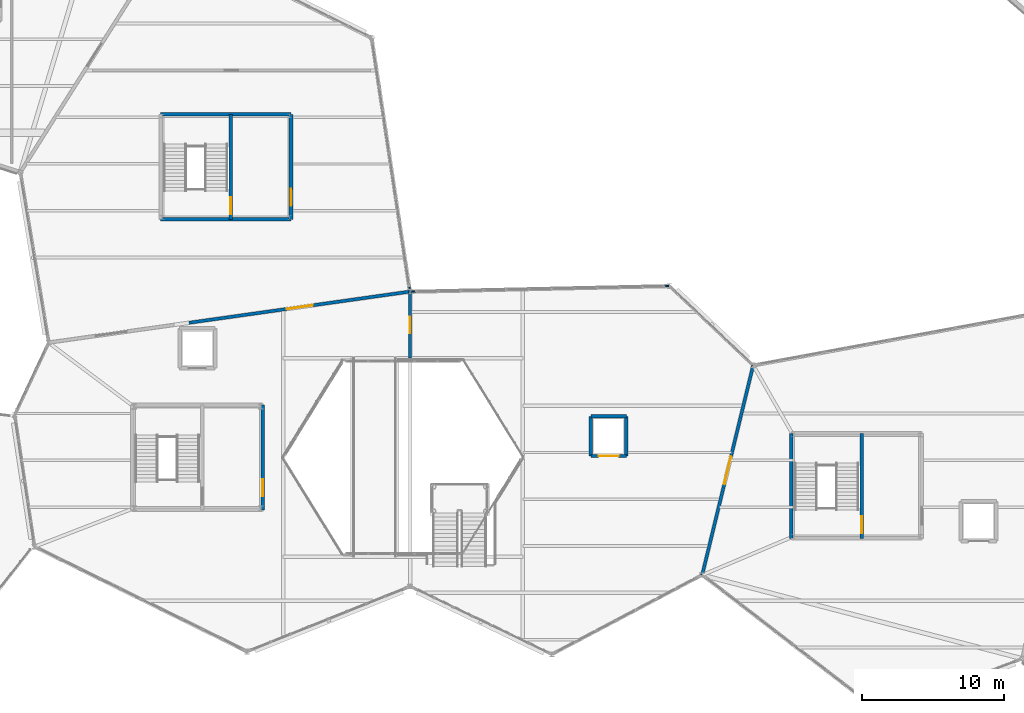
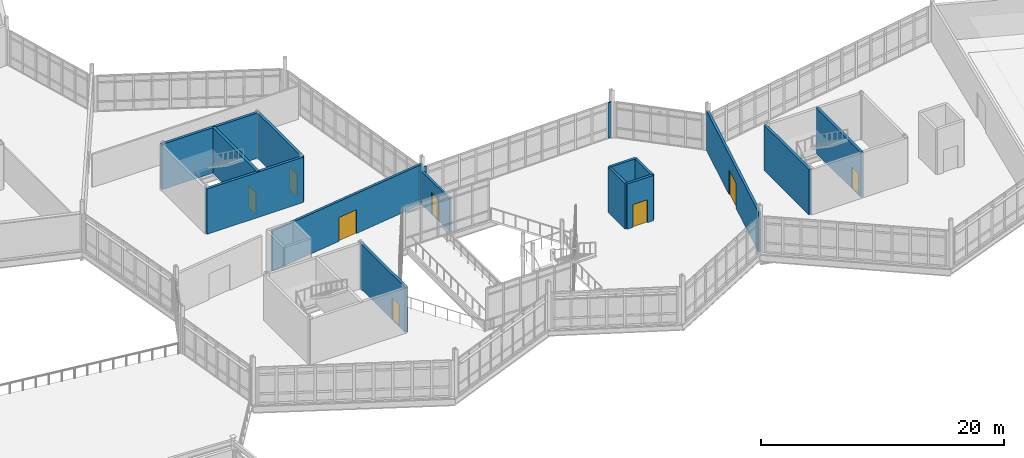
# One storey, part 91 of 114: 17 walls, 8 doors, 8 openings.
"""IFC4 building model written with IfcOpenShell, lengths in metres."""

from ifc_helpers import new_model, si_unit, direction, frame, frame_2d, origin, place, context, subcontext, project, spatial, rectangle, extrude, material, layer, layer_set, type_object, element, fill, save


model = new_model("IFC4")

# Units and contexts
model_context = context("Model", 3, precision=1e-05, world=origin(), true_north=direction((0.0, 1.0)))
body_context = subcontext(model_context, "Body", "Model", "MODEL_VIEW")
ifc_project = project(units=[si_unit("LENGTHUNIT", "METRE"), si_unit("AREAUNIT", "SQUARE_METRE"), si_unit("VOLUMEUNIT", "CUBIC_METRE"), si_unit("PLANEANGLEUNIT", "RADIAN"), si_unit("MASSUNIT", "GRAM", prefix="KILO")], contexts=[model_context])

# Site, building, storey
site_placement = place(None, origin())
site = spatial("IfcSite", under=ifc_project, at=site_placement, CompositionType="ELEMENT")
building_placement = place(site_placement, origin())
building = spatial("IfcBuilding", under=site, at=building_placement, Name="Tameran Prism Museum", CompositionType="ELEMENT")
storey_placement = place(building_placement, frame((0.0, 0.0, 10.199951171875)))
storey = spatial("IfcBuildingStorey", under=building, at=storey_placement, Name="L02", CompositionType="ELEMENT", Elevation=10.199951171875)

# Walls
ifc_material_1 = material(Name="Precast Concrete N40 (40 MPa)", Category="concrete")
ifc_layer_1 = layer(ifc_material_1, 0.094970703125)
ifc_layer_set_1 = layer_set([ifc_layer_1])
wall_type_1 = type_object("IfcWallType", Name="EW-CLOS-095", PredefinedType="SOLIDWALL", material=ifc_layer_set_1)
wall_1_placement = place(storey_placement, frame((77.60205078125, 48.201904296875, 0.0), z_axis=(0.0, 0.0, 1.0), x_axis=(0.999735659566, 0.022991541735, 0.0)))
element("IfcWall", 1, at=wall_1_placement, inside=storey, type_object=wall_type_1, Name="Facade Corner Closure EW-0306", PredefinedType="SOLIDWALL", context=body_context, shape_type="SweptSolid", body=[
    extrude(rectangle(XDim=0.307861328125, YDim=0.094970703125, at=frame_2d((0.15380859375, 0.0))), origin(), (0.0, 0.0, 1.0), 3.6201171875),
])
wall_2_placement = place(storey_placement, frame((95.449951171875, 48.592041015625, 0.0), z_axis=(0.0, 0.0, 1.0), x_axis=(0.999736078158, 0.022973333016, 0.0)))
element("IfcWall", 2, at=wall_2_placement, inside=storey, type_object=wall_type_1, Name="Facade Corner Closure EW-0307", PredefinedType="SOLIDWALL", context=body_context, shape_type="SweptSolid", body=[
    extrude(rectangle(XDim=0.30810546875, YDim=0.094970703125, at=frame_2d((0.154052734375, 0.0))), origin(), (0.0, 0.0, 1.0), 3.6201171875),
])
wall_3_placement = place(storey_placement, frame((77.43896484375, 48.60498046875, 0.0), z_axis=(0.0, 0.0, 1.0), x_axis=(0.15008766182, -0.988672692942, 0.0)))
element("IfcWall", 3, at=wall_3_placement, inside=storey, type_object=wall_type_1, Name="Facade Corner Closure EW-0311", PredefinedType="SOLIDWALL", context=body_context, shape_type="SweptSolid", body=[
    extrude(rectangle(XDim=0.307373046875, YDim=0.094970703125, at=frame_2d((0.15380859375, 0.0))), origin(), (0.0, 0.0, 1.0), 3.6201171875),
])

# Wall, opening, door
ifc_material_2 = material(Name="Concrete N32 (32 MPa)", Category="concrete")
ifc_layer_2 = layer(ifc_material_2, 0.205078125)
ifc_layer_set_2 = layer_set([ifc_layer_2])
wall_type_2 = type_object("IfcWallType", Name="IW-CMP-205", PredefinedType="SOLIDWALL", material=ifc_layer_set_2)
wall_4_placement = place(storey_placement, frame((77.5, 43.5, 0.0), z_axis=(0.0, 0.0, 1.0), x_axis=(0.0, 1.0, 0.0)))
wall_4 = element("IfcWall", 4, at=wall_4_placement, inside=storey, type_object=wall_type_2, Name="Compartment Wall IW-0116", PredefinedType="SOLIDWALL", context=body_context, shape_type="SweptSolid", body=[
    extrude(rectangle(XDim=4.699951171875, YDim=0.205078125, at=frame_2d((2.35009765625, 0.0))), origin(), (0.0, 0.0, 1.0), 3.320068359375),
])
opening_1_placement = place(wall_4_placement, frame((1.77490234375, 0.0, 0.0)))
opening_1 = element("IfcOpeningElement", 5, at=opening_1_placement, cuts=wall_4, Name="Opening ID-0115", PredefinedType="OPENING", context=body_context, shape_type="SweptSolid", body=[
    extrude(rectangle(XDim=1.14990234375, YDim=2.199951171875, at=frame_2d((0.574951171875, 1.10009765625))), frame((0.0, 0.112548828125, 0.0), z_axis=(0.0, -1.0, 0.0), x_axis=(1.0, 0.0, 0.0)), (0.0, 0.0, 1.0), 0.22509765625),
])
ifc_material_3 = material(Name="Fire-Rated Steel Door Leaf and Frame", Category="steel")
door_type_1 = type_object("IfcDoorType", Name="DR-FD-120B", OperationType="NOTDEFINED", PredefinedType="DOOR", material=ifc_material_3)
door_1_placement = place(opening_1_placement, origin())
door_1 = element("IfcDoor", 6, at=door_1_placement, inside=storey, type_object=door_type_1, Name="Compartment Door ID-0115", OperationType="SINGLE_SWING_RIGHT", OverallHeight=2.199951171875, OverallWidth=1.14990234375, PredefinedType="DOOR", context=body_context, shape_type="SweptSolid", body=[
    extrude(rectangle(XDim=1.14990234375, YDim=2.199951171875, at=frame_2d((0.574951171875, 1.10009765625))), frame((0.0, 0.02490234375, 0.0), z_axis=(0.0, -1.0, 0.0), x_axis=(1.0, 0.0, 0.0)), (0.0, 0.0, 1.0), 0.050048828125),
])
fill(opening_1, door_1)

ifc_material_4 = material(Name="Concrete N40 (40 MPa)", Category="concrete")
ifc_layer_3 = layer(ifc_material_4, 0.22509765625)
ifc_layer_set_3 = layer_set([ifc_layer_3])
wall_type_3 = type_object("IfcWallType", Name="IW-CMP-225", PredefinedType="SOLIDWALL", material=ifc_layer_set_3)
wall_5_placement = place(storey_placement, frame((77.5, 48.199951171875, 0.0), z_axis=(0.0, 0.0, 1.0), x_axis=(-0.990181159322, -0.139790098807, 0.0)))
wall_5 = element("IfcWall", 7, at=wall_5_placement, inside=storey, type_object=wall_type_3, Name="Compartment Wall IW-0117", PredefinedType="SOLIDWALL", context=body_context, shape_type="SweptSolid", body=[
    extrude(rectangle(XDim=15.737548828125, YDim=0.22509765625, at=frame_2d((7.86865234375, 0.0))), origin(), (0.0, 0.0, 1.0), 4.02001953125),
])
opening_2_placement = place(wall_5_placement, frame((6.944091796875, 0.0, 0.0)))
opening_2 = element("IfcOpeningElement", 8, at=opening_2_placement, cuts=wall_5, Name="Opening ID-0116", PredefinedType="OPENING", context=body_context, shape_type="SweptSolid", body=[
    extrude(rectangle(XDim=1.85009765625, YDim=2.39990234375, at=frame_2d((0.925048828125, 1.199951171875))), frame((0.0, 0.12255859375, 0.0), z_axis=(0.0, -1.0, 0.0), x_axis=(1.0, 0.0, 0.0)), (0.0, 0.0, 1.0), 0.2451171875),
])
ifc_material_5 = material(Name="Fire-Rated Steel Door Leaf and Frame", Category="steel")
door_type_2 = type_object("IfcDoorType", Name="DR-GAL-185", OperationType="DOUBLE_DOOR_SINGLE_SWING", PredefinedType="DOOR", material=ifc_material_5)
door_2_placement = place(opening_2_placement, origin())
door_2 = element("IfcDoor", 9, at=door_2_placement, inside=storey, type_object=door_type_2, Name="Compartment Door ID-0116", OperationType="DOUBLE_DOOR_SINGLE_SWING", OverallHeight=2.39990234375, OverallWidth=1.85009765625, PredefinedType="DOOR", context=body_context, shape_type="SweptSolid", body=[
    extrude(rectangle(XDim=1.85009765625, YDim=2.39990234375, at=frame_2d((0.925048828125, 1.199951171875))), frame((0.0, 0.02490234375, 0.0), z_axis=(0.0, -1.0, 0.0), x_axis=(1.0, 0.0, 0.0)), (0.0, 0.0, 1.0), 0.050048828125),
])
fill(opening_2, door_2)

wall_6_placement = place(storey_placement, frame((98.10009765625, 28.199951171875, 0.0), z_axis=(0.0, 0.0, 1.0), x_axis=(0.236341762997, 0.971669990822, 0.0)))
wall_6 = element("IfcWall", 10, at=wall_6_placement, inside=storey, type_object=wall_type_3, Name="Compartment Wall IW-0119", PredefinedType="SOLIDWALL", context=body_context, shape_type="SweptSolid", body=[
    extrude(rectangle(XDim=15.2314453125, YDim=0.22509765625, at=frame_2d((7.61572265625, 0.0))), origin(), (0.0, 0.0, 1.0), 4.02001953125),
])
opening_3_placement = place(wall_6_placement, frame((6.615966796875, 0.0, 0.0)))
opening_3 = element("IfcOpeningElement", 11, at=opening_3_placement, cuts=wall_6, Name="Opening ID-0118", PredefinedType="OPENING", context=body_context, shape_type="SweptSolid", body=[
    extrude(rectangle(XDim=2.0, YDim=2.5, at=frame_2d((1.0, 1.25))), frame((0.0, 0.12255859375, 0.0), z_axis=(0.0, -1.0, 0.0), x_axis=(1.0, 0.0, 0.0)), (0.0, 0.0, 1.0), 0.2451171875),
])
ifc_material_6 = material(Name="Fire-Rated Steel Door Leaf and Frame", Category="steel")
door_type_3 = type_object("IfcDoorType", Name="DR-GAL-200", OperationType="DOUBLE_DOOR_SINGLE_SWING", PredefinedType="DOOR", material=ifc_material_6)
door_3_placement = place(opening_3_placement, origin())
door_3 = element("IfcDoor", 12, at=door_3_placement, inside=storey, type_object=door_type_3, Name="Compartment Door ID-0118", OperationType="DOUBLE_DOOR_SINGLE_SWING", OverallHeight=2.5, OverallWidth=2.0, PredefinedType="DOOR", context=body_context, shape_type="SweptSolid", body=[
    extrude(rectangle(XDim=2.0, YDim=2.5, at=frame_2d((1.0, 1.25))), frame((0.0, 0.02490234375, 0.0), z_axis=(0.0, -1.0, 0.0), x_axis=(1.0, 0.0, 0.0)), (0.0, 0.0, 1.0), 0.050048828125),
])
fill(opening_3, door_3)

ifc_material_7 = material(Name="Concrete N40 (40 MPa)", Category="concrete")
ifc_layer_4 = layer(ifc_material_7, 0.25)
ifc_layer_set_4 = layer_set([ifc_layer_4])
wall_type_4 = type_object("IfcWallType", Name="IW-COR-250", PredefinedType="SHEAR", material=ifc_layer_set_4)
wall_7_placement = place(storey_placement, frame((67.10009765625, 40.199951171875, 0.0), z_axis=(0.0, 0.0, 1.0), x_axis=(0.0, -1.0, 0.0)))
wall_7 = element("IfcWall", 13, at=wall_7_placement, inside=storey, type_object=wall_type_4, Name="Core Shear Wall CW-3-L02-E", PredefinedType="SHEAR", context=body_context, shape_type="SweptSolid", body=[
    extrude(rectangle(XDim=7.39990234375, YDim=0.25, at=frame_2d((3.699951171875, 0.0))), origin(), (0.0, 0.0, 1.0), 4.56005859375),
])
opening_4_placement = place(wall_7_placement, frame((5.25, 0.0, 0.0)))
opening_4 = element("IfcOpeningElement", 14, at=opening_4_placement, cuts=wall_7, Name="Opening FD-0217", PredefinedType="OPENING", context=body_context, shape_type="SweptSolid", body=[
    extrude(rectangle(XDim=1.199951171875, YDim=2.199951171875, at=frame_2d((0.60009765625, 1.10009765625))), frame((0.0, 0.135009765625, 0.0), z_axis=(0.0, -1.0, 0.0), x_axis=(1.0, 0.0, 0.0)), (0.0, 0.0, 1.0), 0.27001953125),
])
ifc_material_8 = material(Name="Fire-Rated Steel Door Leaf and Frame", Category="steel")
door_type_4 = type_object("IfcDoorType", Name="DR-FD-120A", OperationType="NOTDEFINED", PredefinedType="DOOR", material=ifc_material_8)
door_4_placement = place(opening_4_placement, origin())
door_4 = element("IfcDoor", 15, at=door_4_placement, inside=storey, type_object=door_type_4, Name="Core Fire Door FD-0217", OperationType="SINGLE_SWING_LEFT", OverallHeight=2.199951171875, OverallWidth=1.199951171875, PredefinedType="DOOR", context=body_context, shape_type="SweptSolid", body=[
    extrude(rectangle(XDim=1.199951171875, YDim=2.199951171875, at=frame_2d((0.60009765625, 1.10009765625))), frame((0.0, 0.02490234375, 0.0), z_axis=(0.0, -1.0, 0.0), x_axis=(1.0, 0.0, 0.0)), (0.0, 0.0, 1.0), 0.050048828125),
])
fill(opening_4, door_4)

# Walls
for number, where, z_axis, x_axis, name in (
    (16, (59.89990234375, 60.699951171875, 0.0), (0.0, 0.0, 1.0), (1.0, 0.0, 0.0), "Core Shear Wall CW-8-L02-N"),
    (17, (69.10009765625, 53.300048828125, 0.0), (0.0, 0.0, 1.0), (-1.0, 0.0, 0.0), "Core Shear Wall CW-8-L02-S"),
):
    element("IfcWall", number, at=place(storey_placement, frame(where, z_axis=z_axis, x_axis=x_axis)), inside=storey, type_object=wall_type_4, Name=name, PredefinedType="SHEAR", context=body_context, shape_type="SweptSolid", body=[
        extrude(rectangle(XDim=9.2001953125, YDim=0.25, at=frame_2d((4.60009765625, 0.0))), origin(), (0.0, 0.0, 1.0), 4.56005859375),
    ])

# Wall, opening, door
wall_8_placement = place(storey_placement, frame((69.10009765625, 60.699951171875, 0.0), z_axis=(0.0, 0.0, 1.0), x_axis=(0.0, -1.0, 0.0)))
wall_8 = element("IfcWall", 18, at=wall_8_placement, inside=storey, type_object=wall_type_4, Name="Core Shear Wall CW-8-L02-E", PredefinedType="SHEAR", context=body_context, shape_type="SweptSolid", body=[
    extrude(rectangle(XDim=7.39990234375, YDim=0.25, at=frame_2d((3.699951171875, 0.0))), origin(), (0.0, 0.0, 1.0), 4.56005859375),
])
opening_5_placement = place(wall_8_placement, frame((5.25, 0.0, 0.0)))
opening_5 = element("IfcOpeningElement", 19, at=opening_5_placement, cuts=wall_8, Name="Opening FD-0229", PredefinedType="OPENING", context=body_context, shape_type="SweptSolid", body=[
    extrude(rectangle(XDim=1.199951171875, YDim=2.199951171875, at=frame_2d((0.60009765625, 1.10009765625))), frame((0.0, 0.135009765625, 0.0), z_axis=(0.0, -1.0, 0.0), x_axis=(1.0, 0.0, 0.0)), (0.0, 0.0, 1.0), 0.27001953125),
])
door_5_placement = place(opening_5_placement, origin())
door_5 = element("IfcDoor", 20, at=door_5_placement, inside=storey, type_object=door_type_4, Name="Core Fire Door FD-0229", OperationType="SINGLE_SWING_LEFT", OverallHeight=2.199951171875, OverallWidth=1.199951171875, PredefinedType="DOOR", context=body_context, shape_type="SweptSolid", body=[
    extrude(rectangle(XDim=1.199951171875, YDim=2.199951171875, at=frame_2d((0.60009765625, 1.10009765625))), frame((0.0, 0.02490234375, 0.0), z_axis=(0.0, -1.0, 0.0), x_axis=(1.0, 0.0, 0.0)), (0.0, 0.0, 1.0), 0.050048828125),
])
fill(opening_5, door_5)

wall_9_placement = place(storey_placement, frame((64.85009765625, 60.699951171875, 0.0), z_axis=(0.0, 0.0, 1.0), x_axis=(0.0, -1.0, 0.0)))
wall_9 = element("IfcWall", 21, at=wall_9_placement, inside=storey, type_object=wall_type_4, Name="Core Shear Wall CW-8-L02-M", PredefinedType="SHEAR", context=body_context, shape_type="SweptSolid", body=[
    extrude(rectangle(XDim=7.39990234375, YDim=0.25, at=frame_2d((3.699951171875, 0.0))), origin(), (0.0, 0.0, 1.0), 4.56005859375),
])
opening_6_placement = place(wall_9_placement, frame((5.85009765625, 0.0, 0.0)))
opening_6 = element("IfcOpeningElement", 22, at=opening_6_placement, cuts=wall_9, Name="Opening FD-0230", PredefinedType="OPENING", context=body_context, shape_type="SweptSolid", body=[
    extrude(rectangle(XDim=1.199951171875, YDim=2.199951171875, at=frame_2d((0.60009765625, 1.10009765625))), frame((0.0, 0.135009765625, 0.0), z_axis=(0.0, -1.0, 0.0), x_axis=(1.0, 0.0, 0.0)), (0.0, 0.0, 1.0), 0.27001953125),
])
door_6_placement = place(opening_6_placement, origin())
door_6 = element("IfcDoor", 23, at=door_6_placement, inside=storey, type_object=door_type_4, Name="Core Fire Door FD-0230", OperationType="SINGLE_SWING_RIGHT", OverallHeight=2.199951171875, OverallWidth=1.199951171875, PredefinedType="DOOR", context=body_context, shape_type="SweptSolid", body=[
    extrude(rectangle(XDim=1.199951171875, YDim=2.199951171875, at=frame_2d((0.60009765625, 1.10009765625))), frame((0.0, 0.02490234375, 0.0), z_axis=(0.0, -1.0, 0.0), x_axis=(1.0, 0.0, 0.0)), (0.0, 0.0, 1.0), 0.050048828125),
])
fill(opening_6, door_6)

# Wall
wall_10_placement = place(storey_placement, frame((104.39990234375, 30.800048828125, 0.0), z_axis=(0.0, 0.0, 1.0), x_axis=(0.0, 1.0, 0.0)))
element("IfcWall", 24, at=wall_10_placement, inside=storey, type_object=wall_type_4, Name="Core Shear Wall CW-4-L02-W", PredefinedType="SHEAR", context=body_context, shape_type="SweptSolid", body=[
    extrude(rectangle(XDim=7.39990234375, YDim=0.25, at=frame_2d((3.699951171875, 0.0))), origin(), (0.0, 0.0, 1.0), 4.56005859375),
])

# Wall, opening, door
wall_11_placement = place(storey_placement, frame((109.35009765625, 38.199951171875, 0.0), z_axis=(0.0, 0.0, 1.0), x_axis=(0.0, -1.0, 0.0)))
wall_11 = element("IfcWall", 25, at=wall_11_placement, inside=storey, type_object=wall_type_4, Name="Core Shear Wall CW-4-L02-M", PredefinedType="SHEAR", context=body_context, shape_type="SweptSolid", body=[
    extrude(rectangle(XDim=7.39990234375, YDim=0.25, at=frame_2d((3.699951171875, 0.0))), origin(), (0.0, 0.0, 1.0), 4.56005859375),
])
opening_7_placement = place(wall_11_placement, frame((5.85009765625, 0.0, 0.0)))
opening_7 = element("IfcOpeningElement", 26, at=opening_7_placement, cuts=wall_11, Name="Opening FD-0240", PredefinedType="OPENING", context=body_context, shape_type="SweptSolid", body=[
    extrude(rectangle(XDim=1.199951171875, YDim=2.199951171875, at=frame_2d((0.60009765625, 1.10009765625))), frame((0.0, 0.135009765625, 0.0), z_axis=(0.0, -1.0, 0.0), x_axis=(1.0, 0.0, 0.0)), (0.0, 0.0, 1.0), 0.27001953125),
])
door_7_placement = place(opening_7_placement, origin())
door_7 = element("IfcDoor", 27, at=door_7_placement, inside=storey, type_object=door_type_4, Name="Core Fire Door FD-0240", OperationType="SINGLE_SWING_RIGHT", OverallHeight=2.199951171875, OverallWidth=1.199951171875, PredefinedType="DOOR", context=body_context, shape_type="SweptSolid", body=[
    extrude(rectangle(XDim=1.199951171875, YDim=2.199951171875, at=frame_2d((0.60009765625, 1.10009765625))), frame((0.0, 0.02490234375, 0.0), z_axis=(0.0, -1.0, 0.0), x_axis=(1.0, 0.0, 0.0)), (0.0, 0.0, 1.0), 0.050048828125),
])
fill(opening_7, door_7)

# Walls
ifc_material_9 = material(Name="Concrete N40 (40 MPa)", Category="concrete")
ifc_layer_5 = layer(ifc_material_9, 0.239990234375)
ifc_layer_set_5 = layer_set([ifc_layer_5])
wall_type_5 = type_object("IfcWallType", Name="IW-LFT-240", PredefinedType="SHEAR", material=ifc_layer_set_5)
wall_12_placement = place(storey_placement, frame((90.25, 39.39990234375, 0.0), z_axis=(0.0, 0.0, 1.0), x_axis=(1.0, 0.0, 0.0)))
element("IfcWall", 28, at=wall_12_placement, inside=storey, type_object=wall_type_5, Name="Lift Shaft Wall LW-PL02-L02N", PredefinedType="SHEAR", context=body_context, shape_type="SweptSolid", body=[
    extrude(rectangle(XDim=2.5, YDim=0.239990234375, at=frame_2d((1.25, 0.0))), origin(), (0.0, 0.0, 1.0), 4.56005859375),
])
for number, where, z_axis, x_axis, name in (
    (29, (92.75, 39.39990234375, 0.0), (0.0, 0.0, 1.0), (0.0, -1.0, 0.0), "Lift Shaft Wall LW-PL02-L02E"),
    (30, (90.25, 36.60009765625, 0.0), (0.0, 0.0, 1.0), (0.0, 1.0, 0.0), "Lift Shaft Wall LW-PL02-L02W"),
):
    element("IfcWall", number, at=place(storey_placement, frame(where, z_axis=z_axis, x_axis=x_axis)), inside=storey, type_object=wall_type_5, Name=name, PredefinedType="SHEAR", context=body_context, shape_type="SweptSolid", body=[
        extrude(rectangle(XDim=2.7998046875, YDim=0.239990234375, at=frame_2d((1.39990234375, 0.0))), origin(), (0.0, 0.0, 1.0), 4.56005859375),
    ])

# Wall, opening, door
wall_13_placement = place(storey_placement, frame((92.75, 36.60009765625, 0.0), z_axis=(0.0, 0.0, 1.0), x_axis=(-1.0, 0.0, 0.0)))
wall_13 = element("IfcWall", 31, at=wall_13_placement, inside=storey, type_object=wall_type_5, Name="Lift Shaft Wall LW-PL02-L02S", PredefinedType="SHEAR", context=body_context, shape_type="SweptSolid", body=[
    extrude(rectangle(XDim=2.5, YDim=0.239990234375, at=frame_2d((1.25, 0.0))), origin(), (0.0, 0.0, 1.0), 4.56005859375),
])
opening_8_placement = place(wall_13_placement, frame((0.550048828125, 0.0, 0.0)))
opening_8 = element("IfcOpeningElement", 32, at=opening_8_placement, cuts=wall_13, Name="Opening LD-PL02-L02", PredefinedType="OPENING", context=body_context, shape_type="SweptSolid", body=[
    extrude(rectangle(XDim=1.39990234375, YDim=2.300048828125, at=frame_2d((0.699951171875, 1.14990234375))), frame((0.0, 0.1298828125, 0.0), z_axis=(0.0, -1.0, 0.0), x_axis=(1.0, 0.0, 0.0)), (0.0, 0.0, 1.0), 0.260009765625),
])
ifc_material_10 = material(Name="Fire-Rated Steel Door Leaf and Frame", Category="steel")
door_type_5 = type_object("IfcDoorType", Name="DR-LD-PL2", OperationType="SLIDING_TO_LEFT", PredefinedType="DOOR", material=ifc_material_10)
door_8_placement = place(opening_8_placement, origin())
door_8 = element("IfcDoor", 33, at=door_8_placement, inside=storey, type_object=door_type_5, Name="Passenger Lift PL-02 Landing Door L02", OperationType="SLIDING_TO_LEFT", OverallHeight=2.300048828125, OverallWidth=1.39990234375, PredefinedType="DOOR", context=body_context, shape_type="SweptSolid", body=[
    extrude(rectangle(XDim=1.39990234375, YDim=2.300048828125, at=frame_2d((0.699951171875, 1.14990234375))), frame((0.0, 0.02490234375, 0.0), z_axis=(0.0, -1.0, 0.0), x_axis=(1.0, 0.0, 0.0)), (0.0, 0.0, 1.0), 0.050048828125),
])
fill(opening_8, door_8)

save(model, "model.ifc")
